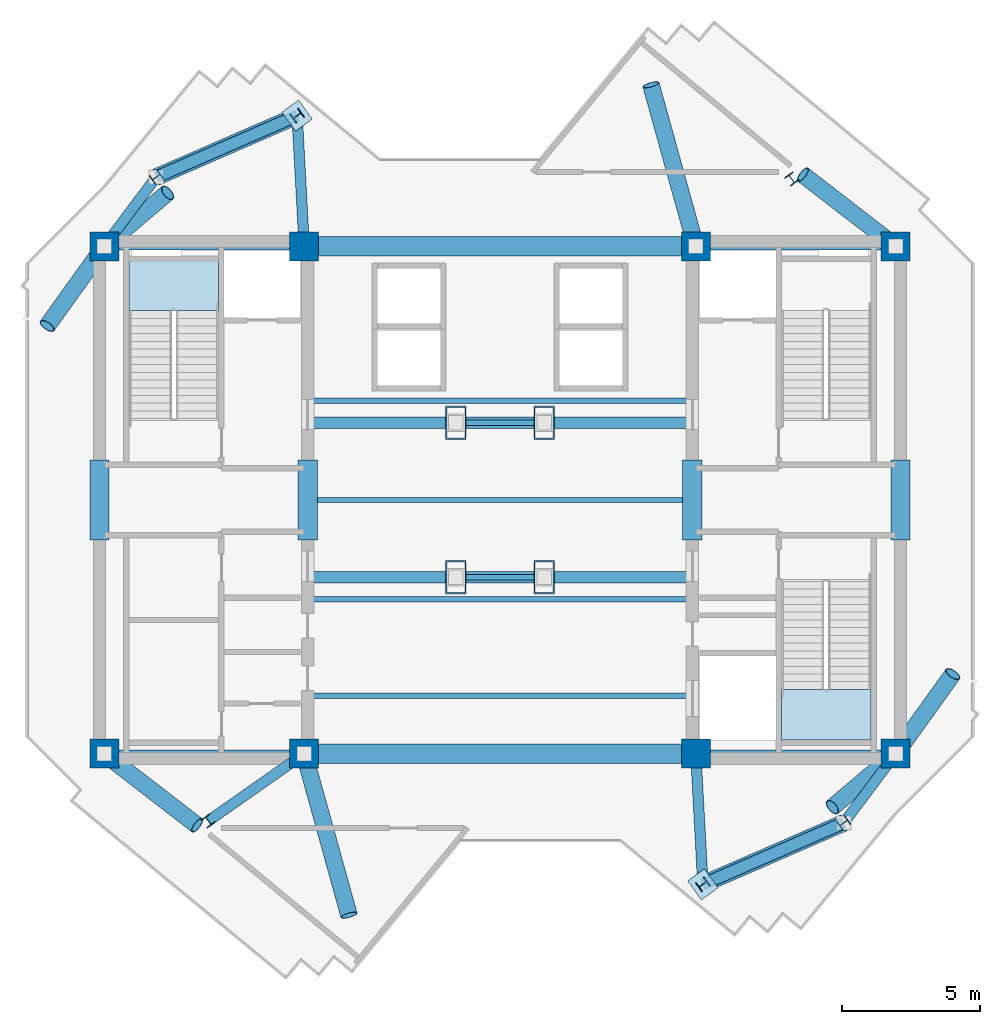
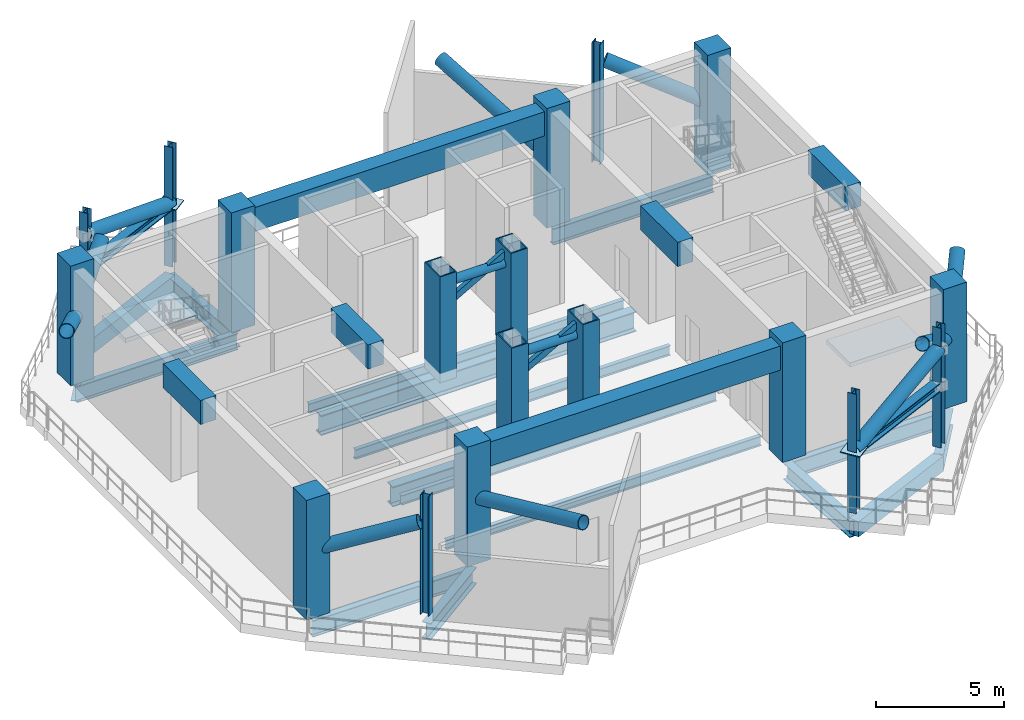
# One storey, part 1 of 7: 23 beams, 20 members, 14 columns, 2 plates, 2 slabs, 2 elements without a shape of their own.
"""IFC4 building model written with IfcOpenShell, lengths in metres."""

import ifcopenshell
import ifcopenshell.guid

model = None  # the IFC model being written
_history = None  # IfcOwnerHistory: only IFC2X3 demands one
_inside = {}  # id of a spatial element -> (the spatial element, [elements in it])
_under = {}  # id of a project, library or spatial element -> (it, [spatial elements below it])
_declared = {}  # id of a project -> (the project, [libraries it declares])
_typed = {}  # id of a type object -> (the type object, [elements of that type])
_made_of = {}  # id of a material, layer set ... -> (it, [elements and type objects made of it])


def new_model(schema):
    """Start an empty IFC model of exactly this schema.

    Asked for "IFC4X3", IfcOpenShell would pick the latest addendum, in which some entities
    have other attributes; the version numbers below select the first issue.
    IFC2X3 requires an IfcOwnerHistory on every rooted entity: one is made here for all.
    """
    global model, _history
    if schema == "IFC4X3":
        model = ifcopenshell.file(schema_version=(4, 3, 0, 0))
    else:
        model = ifcopenshell.file(schema=schema)
    _inside.clear()
    _under.clear()
    _declared.clear()
    _typed.clear()
    _made_of.clear()
    _history = None
    if model.schema == "IFC2X3":
        org = make("IfcOrganization", Name="unknown")
        user = make(
            "IfcPersonAndOrganization",
            ThePerson=make("IfcPerson", FamilyName="unknown"),
            TheOrganization=org,
        )
        app = make(
            "IfcApplication",
            ApplicationDeveloper=org,
            Version="unknown",
            ApplicationFullName="unknown",
            ApplicationIdentifier="unknown",
        )
        _history = make(
            "IfcOwnerHistory",
            OwningUser=user,
            OwningApplication=app,
            ChangeAction="ADDED",
            CreationDate=0,
        )
    return model


def make(cls, **values):
    """One entity of the class cls with the attributes given. An attribute that is None is left unset."""
    return model.create_entity(
        cls, **{name: value for name, value in values.items() if value is not None}
    )


def rooted(cls, **values):
    """An entity with a GlobalId (a new one), such as an element, a storey or a relation."""
    return make(cls, GlobalId=ifcopenshell.guid.new(), OwnerHistory=_history, **values)


def si_unit(unit_type, name, prefix=None):
    """IfcSIUnit, for example si_unit("LENGTHUNIT", "METRE", prefix="MILLI")."""
    return make("IfcSIUnit", UnitType=unit_type, Prefix=prefix, Name=name)


def assignment(units):
    """IfcUnitAssignment: the units of a project."""
    return None if units is None else make("IfcUnitAssignment", Units=units)


def point(xyz):
    """IfcCartesianPoint."""
    return None if xyz is None else make("IfcCartesianPoint", Coordinates=xyz)


def direction(xyz):
    """IfcDirection."""
    return None if xyz is None else make("IfcDirection", DirectionRatios=xyz)


def frame(location, z_axis=None, x_axis=None):
    """IfcAxis2Placement3D, a coordinate frame: its origin and axes. An axis left out is left unset."""
    return make(
        "IfcAxis2Placement3D",
        Location=point(location),
        Axis=direction(z_axis),
        RefDirection=direction(x_axis),
    )


def frame_2d(location, x_axis=None):
    """IfcAxis2Placement2D, a coordinate frame in the plane: its origin and x axis."""
    return make(
        "IfcAxis2Placement2D", Location=point(location), RefDirection=direction(x_axis)
    )


def origin():
    """The frame at (0, 0, 0) with its axes left unset."""
    return frame((0.0, 0.0, 0.0))


def origin_2d():
    """The frame at (0, 0) in the plane with its x axis left unset."""
    return frame_2d((0.0, 0.0))


def place(relative_to, where):
    """IfcLocalPlacement: puts the frame where relative to a parent placement (None: the world)."""
    return make(
        "IfcLocalPlacement", PlacementRelTo=relative_to, RelativePlacement=where
    )


def context(
    kind, dimensions, precision=None, world=None, true_north=None, identifier=None
):
    """IfcGeometricRepresentationContext, for example the 3D "Model" context."""
    return make(
        "IfcGeometricRepresentationContext",
        ContextIdentifier=identifier,
        ContextType=kind,
        CoordinateSpaceDimension=dimensions,
        Precision=precision,
        WorldCoordinateSystem=world,
        TrueNorth=true_north,
    )


def subcontext(parent, identifier, kind, view, scale=None):
    """IfcGeometricRepresentationSubContext, for example "Body" below "Model"."""
    return make(
        "IfcGeometricRepresentationSubContext",
        ContextIdentifier=identifier,
        ContextType=kind,
        ParentContext=parent,
        TargetScale=scale,
        TargetView=view,
    )


def project(units=None, contexts=None):
    """IfcProject with its units and contexts."""
    return rooted(
        "IfcProject",
        Name="project",
        RepresentationContexts=contexts,
        UnitsInContext=assignment(units),
    )


def spatial(cls, under=None, at=None, **own):
    """A site, building, storey or space (cls), placed at a placement, below another one or the project."""
    s = rooted(cls, ObjectPlacement=at, **own)
    if under is not None:
        _under.setdefault(under.id(), (under, []))[1].append(s)
    return s


def polyline(points):
    """IfcPolyline through the points."""
    return make("IfcPolyline", Points=[point(p) for p in points])


def profile(cls, at=None, kind="AREA", **sizes):
    """A parametric profile (cls). Its sizes go by their IFC names, for example OverallWidth=200.0."""
    return make(cls, ProfileType=kind, Position=at, **sizes)


def rectangle(**sizes):
    """IfcRectangleProfileDef."""
    return profile("IfcRectangleProfileDef", **sizes)


def hollow_rectangle(**sizes):
    """IfcRectangleHollowProfileDef."""
    return profile("IfcRectangleHollowProfileDef", **sizes)


def hollow_circle(**sizes):
    """IfcCircleHollowProfileDef."""
    return profile("IfcCircleHollowProfileDef", **sizes)


def i_section(**sizes):
    """IfcIShapeProfileDef."""
    return profile("IfcIShapeProfileDef", **sizes)


def outline(outer, holes=None, kind="AREA"):
    """IfcArbitraryClosedProfileDef: a profile drawn as a closed curve; with holes, ...WithVoids."""
    if holes is None:
        return make("IfcArbitraryClosedProfileDef", ProfileType=kind, OuterCurve=outer)
    return make(
        "IfcArbitraryProfileDefWithVoids",
        ProfileType=kind,
        OuterCurve=outer,
        InnerCurves=holes,
    )


def extrude(swept, where, along, depth):
    """IfcExtrudedAreaSolid: the profile swept, set in the frame where, extruded along a direction by depth."""
    return make(
        "IfcExtrudedAreaSolid",
        SweptArea=swept,
        Position=where,
        ExtrudedDirection=direction(along),
        Depth=depth,
    )


def shape(context_of_items, identifier, shape_type, items):
    """IfcShapeRepresentation: the items that make up one representation, for example the "Body"."""
    return make(
        "IfcShapeRepresentation",
        ContextOfItems=context_of_items,
        RepresentationIdentifier=identifier,
        RepresentationType=shape_type,
        Items=items,
    )


def source(mapping_origin, context_of_items, identifier, shape_type, items):
    """IfcRepresentationMap: a shape defined once, which mapped items show again and again."""
    return make(
        "IfcRepresentationMap",
        MappingOrigin=mapping_origin,
        MappedRepresentation=shape(context_of_items, identifier, shape_type, items),
    )


def transform(
    local_origin,
    x_axis=None,
    y_axis=None,
    z_axis=None,
    scale=None,
    scale2=None,
    scale3=None,
    uniform=True,
):
    """IfcCartesianTransformationOperator3D, or its non-uniform kind. x_axis, y_axis, z_axis: its Axis1, 2, 3."""
    if uniform:
        return make(
            "IfcCartesianTransformationOperator3D",
            Axis1=direction(x_axis),
            Axis2=direction(y_axis),
            LocalOrigin=point(local_origin),
            Scale=scale,
            Axis3=direction(z_axis),
        )
    return make(
        "IfcCartesianTransformationOperator3DnonUniform",
        Axis1=direction(x_axis),
        Axis2=direction(y_axis),
        LocalOrigin=point(local_origin),
        Scale=scale,
        Axis3=direction(z_axis),
        Scale2=scale2,
        Scale3=scale3,
    )


def mapped(mapping_source, mapping_target):
    """IfcMappedItem: shows the shape of a source again, moved by a transform."""
    return make(
        "IfcMappedItem", MappingSource=mapping_source, MappingTarget=mapping_target
    )


def material(Name=None, Category=None):
    """IfcMaterial."""
    return make("IfcMaterial", Name=Name, Category=Category)


def layer(
    of_material, thickness, ventilated=None, Name=None, Category=None, Priority=None
):
    """IfcMaterialLayer: one layer of a wall or slab, of a material (None: an air gap)."""
    return make(
        "IfcMaterialLayer",
        Material=of_material,
        LayerThickness=thickness,
        IsVentilated=ventilated,
        Name=Name,
        Category=Category,
        Priority=Priority,
    )


def layer_set(layers, Name=None):
    """IfcMaterialLayerSet."""
    return make("IfcMaterialLayerSet", MaterialLayers=layers, LayerSetName=Name)


def material_profile(
    of_material, cross_section, Name=None, Category=None, Priority=None
):
    """IfcMaterialProfile: a cross section and its material."""
    return make(
        "IfcMaterialProfile",
        Name=Name,
        Material=of_material,
        Profile=cross_section,
        Priority=Priority,
        Category=Category,
    )


def profile_set(profiles, Name=None, composite=None):
    """IfcMaterialProfileSet."""
    return make(
        "IfcMaterialProfileSet",
        Name=Name,
        MaterialProfiles=profiles,
        CompositeProfile=composite,
    )


def made_of(thing, what):
    """Note that an element or type object is made of a material, layer set ...; save() writes the relation."""
    if what is not None:
        _made_of.setdefault(what.id(), (what, []))[1].append(thing)
    return thing


def type_object(cls, material=None, **own):
    """A type object (cls), such as IfcWallType, which elements share."""
    return made_of(rooted(cls, **own), material)


def element(
    cls,
    number,
    at=None,
    inside=None,
    cuts=None,
    type_object=None,
    material=None,
    context=None,
    identifier="Body",
    shape_type=None,
    held_by="IfcProductDefinitionShape",
    body=None,
    shapes=None,
    **own,
):
    """One element of the class cls, such as IfcWall. Its Tag is "e" and its number.

    at: its placement. inside: the storey or other place that contains it. cuts: it is an
    opening in that element (IfcRelVoidsElement). A single representation is given by context,
    identifier, shape_type and body (its items); several are given by shapes. held_by: the class
    of the entity that holds the representations. save() writes the other relations.
    """
    e = rooted(cls, Tag="e%d" % number, ObjectPlacement=at, **own)
    if body is not None:
        shapes = [shape(context, identifier, shape_type, body)]
    if shapes is not None:
        e.Representation = make(held_by, Representations=shapes)
    if inside is not None:
        _inside.setdefault(inside.id(), (inside, []))[1].append(e)
    if cuts is not None:
        rooted(
            "IfcRelVoidsElement", RelatingBuildingElement=cuts, RelatedOpeningElement=e
        )
    if type_object is not None:
        _typed.setdefault(type_object.id(), (type_object, []))[1].append(e)
    return made_of(e, material)


def aggregate(whole, parts):
    """IfcRelAggregates: a whole, such as a stair, and the parts it consists of."""
    return rooted("IfcRelAggregates", RelatingObject=whole, RelatedObjects=parts)


def save(model, path):
    """Write the relations noted so far, then the file.

    IfcRelAggregates (storeys below a building ...), IfcRelContainedInSpatialStructure (elements
    in a storey), IfcRelDefinesByType, IfcRelAssociatesMaterial and IfcRelDeclares: one each for
    every whole, place, type object, material and project.
    """
    for whole, parts in _under.values():
        aggregate(whole, parts)
    for where, things in _inside.values():
        rooted(
            "IfcRelContainedInSpatialStructure",
            RelatedElements=things,
            RelatingStructure=where,
        )
    for kind, things in _typed.values():
        rooted("IfcRelDefinesByType", RelatedObjects=things, RelatingType=kind)
    for what, things in _made_of.values():
        rooted("IfcRelAssociatesMaterial", RelatedObjects=things, RelatingMaterial=what)
    for by, libraries in _declared.values():
        rooted("IfcRelDeclares", RelatingContext=by, RelatedDefinitions=libraries)
    model.write(path)


model = new_model("IFC4")

# Units and contexts
model_context = context("Model", 3, precision=1e-05, world=origin(), true_north=direction((0.0, 1.0)))
body_context = subcontext(model_context, "Body", "Model", "MODEL_VIEW")
ifc_project = project(units=[si_unit("LENGTHUNIT", "METRE"), si_unit("AREAUNIT", "SQUARE_METRE"), si_unit("VOLUMEUNIT", "CUBIC_METRE"), si_unit("PLANEANGLEUNIT", "RADIAN"), si_unit("MASSUNIT", "GRAM", prefix="KILO")], contexts=[model_context])

# Site, building, storey
site_placement = place(None, origin())
site = spatial("IfcSite", under=ifc_project, at=site_placement, CompositionType="ELEMENT")
building_placement = place(site_placement, origin())
building = spatial("IfcBuilding", under=site, at=building_placement, Name="Zahravan Cultural Tower", CompositionType="ELEMENT")
storey_placement = place(building_placement, frame((0.0, 0.0, 314.10009765625)))
storey = spatial("IfcBuildingStorey", under=building, at=storey_placement, Name="L76", CompositionType="ELEMENT", Elevation=314.10009765625)

# Columns
ifc_material_1 = material(Name="Concrete C50/60", Category="concrete")
ifc_material_profile_1 = material_profile(ifc_material_1, rectangle(XDim=1.050048828125, YDim=1.050048828125, at=origin_2d()), Name="RC1050X1050")
ifc_profile_set_1 = profile_set([ifc_material_profile_1], Name="Concrete C50/60")
column_type_1 = type_object("IfcColumnType", Name="COL-RC1050", PredefinedType="COLUMN", material=ifc_profile_set_1)
shared_shape_1 = source(origin(), body_context, "Body", "SweptSolid", [
    extrude(rectangle(XDim=1.050048828125, YDim=1.050048828125, at=origin_2d()), origin(), (0.0, 0.0, 1.0), 5.699951171875),
])
for number, where, z_axis, x_axis, name in (
    (1, (21.64990234375, 17.800048828125, 0.0), (0.0, 0.0, 1.0), (1.0, 0.0, 0.0), "L76 Column CC-W1"),
    (2, (28.89990234375, 17.800048828125, 0.0), (0.0, 0.0, 1.0), (1.0, 0.0, 0.0), "L76 Column CC-W2"),
    (3, (21.64990234375, 36.199951171875, 0.0), (0.0, 0.0, 1.0), (1.0, 0.0, 0.0), "L76 Column CC-W3"),
    (4, (28.89990234375, 36.199951171875, 0.0), (0.0, 0.0, 1.0), (1.0, 0.0, 0.0), "L76 Column CC-W4"),
    (5, (43.10009765625, 17.800048828125, 0.0), (0.0, 0.0, 1.0), (1.0, 0.0, 0.0), "L76 Column CC-E1"),
    (6, (50.35009765625, 17.800048828125, 0.0), (0.0, 0.0, 1.0), (1.0, 0.0, 0.0), "L76 Column CC-E2"),
    (7, (43.10009765625, 36.199951171875, 0.0), (0.0, 0.0, 1.0), (1.0, 0.0, 0.0), "L76 Column CC-E3"),
    (8, (50.35009765625, 36.199951171875, 0.0), (0.0, 0.0, 1.0), (1.0, 0.0, 0.0), "L76 Column CC-E4"),
):
    element("IfcColumn", number, at=place(storey_placement, frame(where, z_axis=z_axis, x_axis=x_axis)), inside=storey, type_object=column_type_1, Name=name, PredefinedType="COLUMN", context=body_context, shape_type="MappedRepresentation", body=[
        mapped(shared_shape_1, transform((0.0, 0.0, 0.0), x_axis=(1.0, 0.0, 0.0), y_axis=(0.0, 1.0, 0.0), z_axis=(0.0, 0.0, 1.0), scale=1.0)),
    ])
ifc_material_2 = material(Name="Steel ASTM A992 Grade 50", Category="steel")
ifc_material_profile_2 = material_profile(ifc_material_2, i_section(OverallWidth=0.3740234375, OverallDepth=0.3720703125, WebThickness=0.016357421875, FlangeThickness=0.026123046875, FilletRadius=0.01806640625, at=origin_2d()), Name="W14X132")
ifc_profile_set_2 = profile_set([ifc_material_profile_2], Name="Steel ASTM A992 Grade 50")
column_type_2 = type_object("IfcColumnType", Name="COL-W14X132", PredefinedType="COLUMN", material=ifc_profile_set_2)
shared_shape_2 = source(origin(), body_context, "Body", "SweptSolid", [
    extrude(i_section(OverallWidth=0.3740234375, OverallDepth=0.3720703125, WebThickness=0.016357421875, FlangeThickness=0.026123046875, FilletRadius=0.01806640625, at=origin_2d()), origin(), (0.0, 0.0, 1.0), 5.699951171875),
])
for number, where, z_axis, x_axis, name in (
    (9, (46.577880859375, 38.640625, 0.0), (0.0, 0.0, 1.0), (0.809016994375, 0.587785252292, 0.0), "L76 Column Z3C-E2"),
    (10, (28.642578125, 40.937255859375, 0.0), (0.0, 0.0, 1.0), (-0.587785252292, 0.809016994375, 0.0), "L76 Column Z3C-N1"),
    (11, (23.536376953125, 38.710693359375, 0.0), (0.0, 0.0, 1.0), (-0.587785252292, 0.809016994375, 0.0), "L76 Column Z3C-N2"),
    (12, (25.422119140625, 15.359375, 0.0), (0.0, 0.0, 1.0), (0.809016994375, 0.587785252292, 0.0), "L76 Column Z3C-W2"),
    (13, (43.357421875, 13.062744140625, 0.0), (0.0, 0.0, 1.0), (-0.587785252292, 0.809016994375, 0.0), "L76 Column Z3C-S1"),
    (14, (48.463623046875, 15.289306640625, 0.0), (0.0, 0.0, 1.0), (-0.587785252292, 0.809016994375, 0.0), "L76 Column Z3C-S2"),
):
    element("IfcColumn", number, at=place(storey_placement, frame(where, z_axis=z_axis, x_axis=x_axis)), inside=storey, type_object=column_type_2, Name=name, PredefinedType="COLUMN", context=body_context, shape_type="MappedRepresentation", body=[
        mapped(shared_shape_2, transform((0.0, 0.0, 0.0), x_axis=(1.0, 0.0, 0.0), y_axis=(0.0, 1.0, 0.0), z_axis=(0.0, 0.0, 1.0), scale=1.0)),
    ])

# Beams
ifc_material_profile_3 = material_profile(ifc_material_1, rectangle(XDim=0.699951171875, YDim=1.14990234375, at=origin_2d()), Name="RC700X1150")
ifc_profile_set_3 = profile_set([ifc_material_profile_3], Name="Concrete C50/60")
beam_type_1 = type_object("IfcBeamType", Name="BM-LN-RC700X1150", PredefinedType="LINTEL", material=ifc_profile_set_3)
shared_shape_3 = source(origin(), body_context, "Body", "SweptSolid", [
    extrude(rectangle(XDim=0.699951171875, YDim=1.14990234375, at=origin_2d()), origin(), (0.0, 0.0, 1.0), 14.2001953125),
])
for number, where, z_axis, x_axis, name in (
    (15, (28.89990234375, 17.800048828125, 4.875), (1.0, 0.0, 0.0), (0.0, 1.0, 0.0), "L76 Beam LN-L76-S"),
    (16, (28.89990234375, 36.199951171875, 4.875), (1.0, 0.0, 0.0), (0.0, 1.0, 0.0), "L76 Beam LN-L76-N"),
):
    element("IfcBeam", number, at=place(storey_placement, frame(where, z_axis=z_axis, x_axis=x_axis)), inside=storey, type_object=beam_type_1, Name=name, PredefinedType="LINTEL", context=body_context, shape_type="MappedRepresentation", body=[
        mapped(shared_shape_3, transform((0.0, 0.0, 0.0), x_axis=(1.0, 0.0, 0.0), y_axis=(0.0, 1.0, 0.0), z_axis=(0.0, 0.0, 1.0), scale=1.0)),
    ])
shared_shape_4 = source(origin(), body_context, "Body", "SweptSolid", [
    extrude(rectangle(XDim=0.699951171875, YDim=1.14990234375, at=origin_2d()), origin(), (0.0, 0.0, 1.0), 2.89990234375),
])
for number, where, z_axis, x_axis, name in (
    (17, (21.47509765625, 25.550048828125, 4.875), (0.0, 1.0, 0.0), (-1.0, 0.0, 0.0), "L76 Beam LN-L76-PWW"),
    (18, (29.02490234375, 25.550048828125, 4.875), (0.0, 1.0, 0.0), (-1.0, 0.0, 0.0), "L76 Beam LN-L76-PWE"),
    (19, (42.97509765625, 25.550048828125, 4.875), (0.0, 1.0, 0.0), (-1.0, 0.0, 0.0), "L76 Beam LN-L76-PEW"),
    (20, (50.52490234375, 25.550048828125, 4.875), (0.0, 1.0, 0.0), (-1.0, 0.0, 0.0), "L76 Beam LN-L76-PEE"),
):
    element("IfcBeam", number, at=place(storey_placement, frame(where, z_axis=z_axis, x_axis=x_axis)), inside=storey, type_object=beam_type_1, Name=name, PredefinedType="LINTEL", context=body_context, shape_type="MappedRepresentation", body=[
        mapped(shared_shape_4, transform((0.0, 0.0, 0.0), x_axis=(1.0, 0.0, 0.0), y_axis=(0.0, 1.0, 0.0), z_axis=(0.0, 0.0, 1.0), scale=1.0)),
    ])
ifc_material_profile_4 = material_profile(ifc_material_2, i_section(OverallWidth=0.26611328125, OverallDepth=0.780029296875, WebThickness=0.0166015625, FlangeThickness=0.030029296875, FilletRadius=0.01904296875, at=origin_2d()), Name="W30X148")
ifc_profile_set_4 = profile_set([ifc_material_profile_4], Name="Steel ASTM A992 Grade 50")
beam_type_2 = type_object("IfcBeamType", Name="BM-G-W30X148", PredefinedType="BEAM", material=ifc_profile_set_4)
shared_shape_5 = source(origin(), body_context, "Body", "SweptSolid", [
    extrude(i_section(OverallWidth=0.26611328125, OverallDepth=0.780029296875, WebThickness=0.0166015625, FlangeThickness=0.030029296875, FilletRadius=0.01904296875, at=origin_2d()), origin(), (0.0, 0.0, 1.0), 7.25),
])
for number, where, z_axis, x_axis, name in (
    (21, (21.64990234375, 17.800048828125, -0.840087890625), (1.0, 0.0, 0.0), (0.0, 1.0, 0.0), "L76 Beam BG-L76-01"),
    (22, (21.64990234375, 36.199951171875, -0.840087890625), (1.0, 0.0, 0.0), (0.0, 1.0, 0.0), "L76 Beam BG-L76-02"),
    (23, (43.10009765625, 17.800048828125, -0.840087890625), (1.0, 0.0, 0.0), (0.0, 1.0, 0.0), "L76 Beam BG-L76-04"),
    (24, (43.10009765625, 36.199951171875, -0.840087890625), (1.0, 0.0, 0.0), (0.0, 1.0, 0.0), "L76 Beam BG-L76-05"),
):
    element("IfcBeam", number, at=place(storey_placement, frame(where, z_axis=z_axis, x_axis=x_axis)), inside=storey, type_object=beam_type_2, Name=name, PredefinedType="BEAM", context=body_context, shape_type="MappedRepresentation", body=[
        mapped(shared_shape_5, transform((0.0, 0.0, 0.0), x_axis=(1.0, 0.0, 0.0), y_axis=(0.0, 1.0, 0.0), z_axis=(0.0, 0.0, 1.0), scale=1.0)),
    ])
ifc_material_3 = material(Name="Concrete C45/55", Category="concrete")
ifc_material_profile_5 = material_profile(ifc_material_3, rectangle(XDim=0.449951171875, YDim=0.719970703125, at=origin_2d()), Name="RC450X720")
ifc_profile_set_5 = profile_set([ifc_material_profile_5], Name="Concrete C45/55")
beam_type_3 = type_object("IfcBeamType", Name="BM-SP-RC450X720", PredefinedType="SPANDREL", material=ifc_profile_set_5)
shared_shape_6 = source(origin(), body_context, "Body", "SweptSolid", [
    extrude(rectangle(XDim=0.449951171875, YDim=0.719970703125, at=origin_2d()), origin(), (0.0, 0.0, 1.0), 5.570556640625),
])
for number, where, z_axis, x_axis, name in (
    (25, (43.357421875, 13.062744140625, -0.81005859375), (0.9166445026, 0.399703459896, 0.0), (-0.399703459896, 0.9166445026, 0.0), "L76 Beam SP-L76-12"),
    (26, (28.642578125, 40.937255859375, -0.81005859375), (-0.9166445026, -0.399703459896, 0.0), (0.399703459896, -0.9166445026, 0.0), "L76 Beam SP-L76-13"),
):
    element("IfcBeam", number, at=place(storey_placement, frame(where, z_axis=z_axis, x_axis=x_axis)), inside=storey, type_object=beam_type_3, Name=name, PredefinedType="SPANDREL", context=body_context, shape_type="MappedRepresentation", body=[
        mapped(shared_shape_6, transform((0.0, 0.0, 0.0), x_axis=(1.0, 0.0, 0.0), y_axis=(0.0, 1.0, 0.0), z_axis=(0.0, 0.0, 1.0), scale=1.0)),
    ])
ifc_material_profile_6 = material_profile(ifc_material_2, i_section(OverallWidth=0.18994140625, OverallDepth=0.45703125, WebThickness=0.009033203125, FlangeThickness=0.014404296875, FilletRadius=0.012939453125, at=origin_2d()), Name="W18X50")
ifc_profile_set_6 = profile_set([ifc_material_profile_6], Name="Steel ASTM A992 Grade 50")
beam_type_4 = type_object("IfcBeamType", Name="BM-J-W18X50", PredefinedType="JOIST", material=ifc_profile_set_6)
shared_shape_7 = source(origin(), body_context, "Body", "SweptSolid", [
    extrude(i_section(OverallWidth=0.18994140625, OverallDepth=0.45703125, WebThickness=0.009033203125, FlangeThickness=0.014404296875, FilletRadius=0.012939453125, at=origin_2d()), origin(), (0.0, 0.0, 1.0), 14.2001953125),
])
for number, where, z_axis, x_axis, name in (
    (27, (28.89990234375, 19.89990234375, -0.6787109375), (1.0, 0.0, 0.0), (0.0, 1.0, 0.0), "L76 Beam BJ-L76-14"),
    (28, (28.89990234375, 23.39990234375, -0.6787109375), (1.0, 0.0, 0.0), (0.0, 1.0, 0.0), "L76 Beam BJ-L76-15"),
    (29, (28.89990234375, 27.0, -0.6787109375), (1.0, 0.0, 0.0), (0.0, 1.0, 0.0), "L76 Beam BJ-L76-16"),
    (30, (28.89990234375, 30.60009765625, -0.6787109375), (1.0, 0.0, 0.0), (0.0, 1.0, 0.0), "L76 Beam BJ-L76-17"),
):
    element("IfcBeam", number, at=place(storey_placement, frame(where, z_axis=z_axis, x_axis=x_axis)), inside=storey, type_object=beam_type_4, Name=name, PredefinedType="JOIST", context=body_context, shape_type="MappedRepresentation", body=[
        mapped(shared_shape_7, transform((0.0, 0.0, 0.0), x_axis=(1.0, 0.0, 0.0), y_axis=(0.0, 1.0, 0.0), z_axis=(0.0, 0.0, 1.0), scale=1.0)),
    ])
ifc_material_profile_7 = material_profile(ifc_material_2, i_section(OverallWidth=0.382080078125, OverallDepth=0.779052734375, WebThickness=0.01806640625, FlangeThickness=0.030029296875, FilletRadius=0.01904296875, at=origin_2d()), Name="W30X191")
ifc_profile_set_7 = profile_set([ifc_material_profile_7], Name="Steel ASTM A992 Grade 50")
beam_type_5 = type_object("IfcBeamType", Name="BM-G-W30X191", PredefinedType="BEAM", material=ifc_profile_set_7)
shared_shape_8 = source(origin(), body_context, "Body", "SweptSolid", [
    extrude(i_section(OverallWidth=0.382080078125, OverallDepth=0.779052734375, WebThickness=0.01806640625, FlangeThickness=0.030029296875, FilletRadius=0.01904296875, at=origin_2d()), origin(), (0.0, 0.0, 1.0), 4.248779296875),
])
beam_placement = place(storey_placement, frame((28.89990234375, 17.800048828125, -0.839599609375), z_axis=(-0.81854294596, -0.574445337365, 0.0), x_axis=(0.574445337365, -0.81854294596, 0.0)))
element("IfcBeam", 31, at=beam_placement, inside=storey, type_object=beam_type_5, Name="L76 Beam BG-L76-07", PredefinedType="BEAM", context=body_context, shape_type="MappedRepresentation", body=[
    mapped(shared_shape_8, transform((0.0, 0.0, 0.0), x_axis=(1.0, 0.0, 0.0), y_axis=(0.0, 1.0, 0.0), z_axis=(0.0, 0.0, 1.0), scale=1.0)),
])
shared_shape_9 = source(origin(), body_context, "Body", "SweptSolid", [
    extrude(i_section(OverallWidth=0.382080078125, OverallDepth=0.779052734375, WebThickness=0.01806640625, FlangeThickness=0.030029296875, FilletRadius=0.01904296875, at=origin_2d()), origin(), (0.0, 0.0, 1.0), 4.744384765625),
])
for number, where, z_axis, x_axis, name in (
    (32, (43.10009765625, 17.800048828125, -0.839599609375), (0.054238739845, -0.998527996152, 0.0), (0.998527996152, 0.054238739845, 0.0), "L76 Beam BG-L76-08"),
    (33, (28.89990234375, 36.199951171875, -0.839599609375), (-0.054238739845, 0.998527996152, 0.0), (-0.998527996152, -0.054238739845, 0.0), "L76 Beam BG-L76-10"),
):
    element("IfcBeam", number, at=place(storey_placement, frame(where, z_axis=z_axis, x_axis=x_axis)), inside=storey, type_object=beam_type_5, Name=name, PredefinedType="BEAM", context=body_context, shape_type="MappedRepresentation", body=[
        mapped(shared_shape_9, transform((0.0, 0.0, 0.0), x_axis=(1.0, 0.0, 0.0), y_axis=(0.0, 1.0, 0.0), z_axis=(0.0, 0.0, 1.0), scale=1.0)),
    ])
shared_shape_10 = source(origin(), body_context, "Body", "SweptSolid", [
    extrude(i_section(OverallWidth=0.382080078125, OverallDepth=0.779052734375, WebThickness=0.01806640625, FlangeThickness=0.030029296875, FilletRadius=0.01904296875, at=origin_2d()), origin(), (0.0, 0.0, 1.0), 3.140380859375),
])
for number, where, z_axis, x_axis, name in (
    (34, (50.35009765625, 17.800048828125, -0.839599609375), (-0.600696322208, -0.799477284534, 0.0), (0.799477284534, -0.600696322208, 0.0), "L76 Beam BG-L76-09"),
    (35, (21.64990234375, 36.199951171875, -0.839599609375), (0.600696322208, 0.799477284534, 0.0), (-0.799477284534, 0.600696322208, 0.0), "L76 Beam BG-L76-11"),
):
    element("IfcBeam", number, at=place(storey_placement, frame(where, z_axis=z_axis, x_axis=x_axis)), inside=storey, type_object=beam_type_5, Name=name, PredefinedType="BEAM", context=body_context, shape_type="MappedRepresentation", body=[
        mapped(shared_shape_10, transform((0.0, 0.0, 0.0), x_axis=(1.0, 0.0, 0.0), y_axis=(0.0, 1.0, 0.0), z_axis=(0.0, 0.0, 1.0), scale=1.0)),
    ])

# Members
ifc_material_4 = material(Name="Steel ASTM A572 Grade 50", Category="steel")
ifc_material_profile_8 = material_profile(ifc_material_4, hollow_circle(Radius=0.304931640625, WallThickness=0.02490234375, at=origin_2d()), Name="CHS610X25")
ifc_profile_set_8 = profile_set([ifc_material_profile_8], Name="Steel ASTM A572 Grade 50")
member_type_1 = type_object("IfcMemberType", Name="MB-BR-CHS610", PredefinedType="BRACE", material=ifc_profile_set_8)
shared_shape_11 = source(origin(), body_context, "Body", "SweptSolid", [
    extrude(hollow_circle(Radius=0.304931640625, WallThickness=0.02490234375, at=origin_2d()), origin(), (0.0, 0.0, 1.0), 5.82421875),
])
for number, where, z_axis, x_axis, name in (
    (36, (43.357421875, 13.062744140625, 2.89990234375), (0.876729230252, 0.382298378193, 0.291879781508), (-0.399703459896, 0.9166445026, 0.0), "L76 Belt Truss Diagonal 01"),
    (37, (28.642578125, 40.937255859375, 2.89990234375), (-0.876729230252, -0.382298378193, 0.291879781508), (0.399703459896, -0.9166445026, 0.0), "L76 Belt Truss Diagonal 02"),
):
    element("IfcMember", number, at=place(storey_placement, frame(where, z_axis=z_axis, x_axis=x_axis)), inside=storey, type_object=member_type_1, Name=name, PredefinedType="BRACE", context=body_context, shape_type="MappedRepresentation", body=[
        mapped(shared_shape_11, transform((0.0, 0.0, 0.0), x_axis=(1.0, 0.0, 0.0), y_axis=(0.0, 1.0, 0.0), z_axis=(0.0, 0.0, 1.0), scale=1.0)),
    ])
ifc_material_profile_9 = material_profile(ifc_material_2, i_section(OverallWidth=0.404052734375, OverallDepth=0.406982421875, WebThickness=0.027099609375, FlangeThickness=0.043701171875, FilletRadius=0.01806640625, at=origin_2d()), Name="W14X233")
ifc_profile_set_9 = profile_set([ifc_material_profile_9], Name="Steel ASTM A992 Grade 50")
member_type_2 = type_object("IfcMemberType", Name="MB-CH-W14X233", PredefinedType="CHORD", material=ifc_profile_set_9)
shared_shape_12 = source(origin(), body_context, "Body", "SweptSolid", [
    extrude(i_section(OverallWidth=0.404052734375, OverallDepth=0.406982421875, WebThickness=0.027099609375, FlangeThickness=0.043701171875, FilletRadius=0.01806640625, at=origin_2d()), origin(), (0.0, 0.0, 1.0), 5.570556640625),
])
for number, where, z_axis, x_axis, name in (
    (38, (43.357421875, 13.062744140625, 2.89990234375), (0.9166445026, 0.399703459896, 0.0), (-0.399703459896, 0.9166445026, 0.0), "L76 Belt Truss Bottom Chord 01"),
    (39, (28.642578125, 40.937255859375, 2.89990234375), (-0.9166445026, -0.399703459896, 0.0), (0.399703459896, -0.9166445026, 0.0), "L76 Belt Truss Bottom Chord 02"),
):
    element("IfcMember", number, at=place(storey_placement, frame(where, z_axis=z_axis, x_axis=x_axis)), inside=storey, type_object=member_type_2, Name=name, PredefinedType="CHORD", context=body_context, shape_type="MappedRepresentation", body=[
        mapped(shared_shape_12, transform((0.0, 0.0, 0.0), x_axis=(1.0, 0.0, 0.0), y_axis=(0.0, 1.0, 0.0), z_axis=(0.0, 0.0, 1.0), scale=1.0)),
    ])
shared_shape_13 = source(origin(), body_context, "Body", "SweptSolid", [
    extrude(hollow_circle(Radius=0.304931640625, WallThickness=0.02490234375, at=origin_2d()), origin(), (0.0, 0.0, 1.0), 4.580322265625),
])
for number, where, z_axis, x_axis, name in (
    (40, (50.35009765625, 36.199951171875, 2.89990234375), (-0.734909640082, 0.567598836469, 0.371132566281), (-0.611254713313, -0.791433936253, 0.0), "L76 Outrigger Diagonal 03"),
    (41, (21.64990234375, 17.800048828125, 2.89990234375), (0.734909640082, -0.567598836469, 0.371132566281), (0.611254713313, 0.791433936253, 0.0), "L76 Outrigger Diagonal 07"),
):
    element("IfcMember", number, at=place(storey_placement, frame(where, z_axis=z_axis, x_axis=x_axis)), inside=storey, type_object=member_type_1, Name=name, PredefinedType="BRACE", context=body_context, shape_type="MappedRepresentation", body=[
        mapped(shared_shape_13, transform((0.0, 0.0, 0.0), x_axis=(1.0, 0.0, 0.0), y_axis=(0.0, 1.0, 0.0), z_axis=(0.0, 0.0, 1.0), scale=1.0)),
    ])
shared_shape_14 = source(origin(), body_context, "Body", "SweptSolid", [
    extrude(hollow_circle(Radius=0.304931640625, WallThickness=0.02490234375, at=origin_2d()), origin(), (0.0, 0.0, 1.0), 6.312744140625),
])
for number, where, z_axis, x_axis, name in (
    (42, (43.10009765625, 36.199951171875, 2.89990234375), (-0.257450112737, 0.928011552536, 0.269284232385), (-0.963606455292, -0.267324894686, 0.0), "L76 Outrigger Diagonal 04"),
    (43, (28.89990234375, 17.800048828125, 2.89990234375), (0.257450112737, -0.928011552536, 0.269284232385), (0.963606455292, 0.267324894686, 0.0), "L76 Outrigger Diagonal 08"),
):
    element("IfcMember", number, at=place(storey_placement, frame(where, z_axis=z_axis, x_axis=x_axis)), inside=storey, type_object=member_type_1, Name=name, PredefinedType="BRACE", context=body_context, shape_type="MappedRepresentation", body=[
        mapped(shared_shape_14, transform((0.0, 0.0, 0.0), x_axis=(1.0, 0.0, 0.0), y_axis=(0.0, 1.0, 0.0), z_axis=(0.0, 0.0, 1.0), scale=1.0)),
    ])
shared_shape_15 = source(origin(), body_context, "Body", "SweptSolid", [
    extrude(hollow_circle(Radius=0.304931640625, WallThickness=0.02490234375, at=origin_2d()), origin(), (0.0, 0.0, 1.0), 3.452880859375),
])
for number, where, z_axis, x_axis, name in (
    (44, (21.64990234375, 36.199951171875, 2.89990234375), (0.664591103528, 0.562063483556, 0.492344701976), (-0.645752855361, 0.763546494847, 0.0), "L76 Outrigger Diagonal 05"),
    (45, (50.35009765625, 17.800048828125, 2.89990234375), (-0.664591103528, -0.562063483556, 0.492344701976), (0.645752855361, -0.763546494847, 0.0), "L76 Outrigger Diagonal 09"),
):
    element("IfcMember", number, at=place(storey_placement, frame(where, z_axis=z_axis, x_axis=x_axis)), inside=storey, type_object=member_type_1, Name=name, PredefinedType="BRACE", context=body_context, shape_type="MappedRepresentation", body=[
        mapped(shared_shape_15, transform((0.0, 0.0, 0.0), x_axis=(1.0, 0.0, 0.0), y_axis=(0.0, 1.0, 0.0), z_axis=(0.0, 0.0, 1.0), scale=1.0)),
    ])
shared_shape_16 = source(origin(), body_context, "Body", "SweptSolid", [
    extrude(hollow_circle(Radius=0.304931640625, WallThickness=0.02490234375, at=origin_2d()), origin(), (0.0, 0.0, 1.0), 3.941162109375),
])
for number, where, z_axis, x_axis, name in (
    (46, (21.64990234375, 36.199951171875, 2.89990234375), (-0.525869063473, -0.733082164819, 0.431337765222), (0.812558045674, -0.58288028137, 0.0), "L76 Outrigger Diagonal 06"),
    (47, (50.35009765625, 17.800048828125, 2.89990234375), (0.525869063473, 0.733082164819, 0.431337765222), (-0.812558045674, 0.58288028137, 0.0), "L76 Outrigger Diagonal 10"),
):
    element("IfcMember", number, at=place(storey_placement, frame(where, z_axis=z_axis, x_axis=x_axis)), inside=storey, type_object=member_type_1, Name=name, PredefinedType="BRACE", context=body_context, shape_type="MappedRepresentation", body=[
        mapped(shared_shape_16, transform((0.0, 0.0, 0.0), x_axis=(1.0, 0.0, 0.0), y_axis=(0.0, 1.0, 0.0), z_axis=(0.0, 0.0, 1.0), scale=1.0)),
    ])

# Beams
ifc_material_profile_10 = material_profile(ifc_material_2, i_section(OverallWidth=0.423095703125, OverallDepth=0.947998046875, WebThickness=0.02392578125, FlangeThickness=0.042724609375, FilletRadius=0.02392578125, at=origin_2d()), Name="W36X302")
ifc_profile_set_10 = profile_set([ifc_material_profile_10], Name="Steel ASTM A992 Grade 50")
beam_type_6 = type_object("IfcBeamType", Name="BM-G-W36X302", PredefinedType="BEAM", material=ifc_profile_set_10)
shared_shape_17 = source(origin(), body_context, "Body", "SweptSolid", [
    extrude(i_section(OverallWidth=0.423095703125, OverallDepth=0.947998046875, WebThickness=0.02392578125, FlangeThickness=0.042724609375, FilletRadius=0.02392578125, at=origin_2d()), origin(), (0.0, 0.0, 1.0), 14.2001953125),
])
for number, where, z_axis, x_axis, name in (
    (48, (28.89990234375, 24.199951171875, -0.924072265625), (1.0, 0.0, 0.0), (0.0, 1.0, 0.0), "L76 Beam WT-SUP-1"),
    (49, (28.89990234375, 29.800048828125, -0.924072265625), (1.0, 0.0, 0.0), (0.0, 1.0, 0.0), "L76 Beam WT-SUP-2"),
):
    element("IfcBeam", number, at=place(storey_placement, frame(where, z_axis=z_axis, x_axis=x_axis)), inside=storey, type_object=beam_type_6, Name=name, PredefinedType="BEAM", context=body_context, shape_type="MappedRepresentation", body=[
        mapped(shared_shape_17, transform((0.0, 0.0, 0.0), x_axis=(1.0, 0.0, 0.0), y_axis=(0.0, 1.0, 0.0), z_axis=(0.0, 0.0, 1.0), scale=1.0)),
    ])

# Members
ifc_material_profile_11 = material_profile(ifc_material_4, hollow_rectangle(XDim=0.75, YDim=1.199951171875, WallThickness=0.050048828125, at=origin_2d()), Name="BOX1200X750X50")
ifc_profile_set_11 = profile_set([ifc_material_profile_11], Name="Steel ASTM A572 Grade 50")
member_type_3 = type_object("IfcMemberType", Name="MB-CH-BOX1200", PredefinedType="CHORD", material=ifc_profile_set_11)
shared_shape_18 = source(origin(), body_context, "Body", "SweptSolid", [
    extrude(hollow_rectangle(XDim=0.75, YDim=1.199951171875, WallThickness=0.050048828125, at=origin_2d()), origin(), (0.0, 0.0, 1.0), 5.050048828125),
])
for number, where, z_axis, x_axis, name in (
    (50, (34.39990234375, 24.199951171875, -0.4501953125), (0.0, 0.0, 1.0), (1.0, 0.0, 0.0), "L76 Wind Turbine Support Post 1W"),
    (51, (37.60009765625, 24.199951171875, -0.4501953125), (0.0, 0.0, 1.0), (1.0, 0.0, 0.0), "L76 Wind Turbine Support Post 1E"),
    (52, (34.39990234375, 29.800048828125, -0.4501953125), (0.0, 0.0, 1.0), (1.0, 0.0, 0.0), "L76 Wind Turbine Support Post 2W"),
    (53, (37.60009765625, 29.800048828125, -0.4501953125), (0.0, 0.0, 1.0), (1.0, 0.0, 0.0), "L76 Wind Turbine Support Post 2E"),
):
    element("IfcMember", number, at=place(storey_placement, frame(where, z_axis=z_axis, x_axis=x_axis)), inside=storey, type_object=member_type_3, Name=name, PredefinedType="CHORD", context=body_context, shape_type="MappedRepresentation", body=[
        mapped(shared_shape_18, transform((0.0, 0.0, 0.0), x_axis=(1.0, 0.0, 0.0), y_axis=(0.0, 1.0, 0.0), z_axis=(0.0, 0.0, 1.0), scale=1.0)),
    ])
ifc_material_profile_12 = material_profile(ifc_material_4, hollow_circle(Radius=0.202880859375, WallThickness=0.01611328125, at=origin_2d()), Name="CHS406X16")
ifc_profile_set_12 = profile_set([ifc_material_profile_12], Name="Steel ASTM A572 Grade 50")
member_type_4 = type_object("IfcMemberType", Name="MB-BR-CHS406", PredefinedType="BRACE", material=ifc_profile_set_12)
shared_shape_19 = source(origin(), body_context, "Body", "SweptSolid", [
    extrude(hollow_circle(Radius=0.202880859375, WallThickness=0.01611328125, at=origin_2d()), origin(), (0.0, 0.0, 1.0), 3.2001953125),
])
for number, where, z_axis, x_axis, name in (
    (54, (34.39990234375, 24.199951171875, 3.7998046875), (1.0, 0.0, 0.0), (0.0, 1.0, 0.0), "L76 Horizontal Wind Turbine Rotor Assembly 1"),
    (55, (34.39990234375, 29.800048828125, 3.7998046875), (1.0, 0.0, 0.0), (0.0, 1.0, 0.0), "L76 Horizontal Wind Turbine Rotor Assembly 2"),
):
    element("IfcMember", number, at=place(storey_placement, frame(where, z_axis=z_axis, x_axis=x_axis)), inside=storey, type_object=member_type_4, Name=name, PredefinedType="BRACE", context=body_context, shape_type="MappedRepresentation", body=[
        mapped(shared_shape_19, transform((0.0, 0.0, 0.0), x_axis=(1.0, 0.0, 0.0), y_axis=(0.0, 1.0, 0.0), z_axis=(0.0, 0.0, 1.0), scale=1.0)),
    ])
ifc_material_profile_13 = material_profile(ifc_material_4, hollow_rectangle(XDim=0.199951171875, YDim=0.300048828125, WallThickness=0.01611328125, at=origin_2d()), Name="HSS300X200X16")
ifc_profile_set_13 = profile_set([ifc_material_profile_13], Name="Steel ASTM A572 Grade 50")
member_type_5 = type_object("IfcMemberType", Name="MB-BR-HSS300X200", PredefinedType="BRACE", material=ifc_profile_set_13)
shared_shape_20 = source(origin(), body_context, "Body", "SweptSolid", [
    extrude(hollow_rectangle(XDim=0.199951171875, YDim=0.300048828125, WallThickness=0.01611328125, at=origin_2d()), origin(), (0.0, 0.0, 1.0), 3.671630859375),
])
for number, where, z_axis, x_axis, name in (
    (56, (34.39990234375, 24.199951171875, 2.64990234375), (0.871582640081, 0.0, 0.490248611941), (0.0, 1.0, 0.0), "L76 Wind Turbine Portal Brace 1"),
    (57, (34.39990234375, 29.800048828125, 2.64990234375), (0.871582640081, 0.0, 0.490248611941), (0.0, 1.0, 0.0), "L76 Wind Turbine Portal Brace 2"),
):
    element("IfcMember", number, at=place(storey_placement, frame(where, z_axis=z_axis, x_axis=x_axis)), inside=storey, type_object=member_type_5, Name=name, PredefinedType="BRACE", context=body_context, shape_type="MappedRepresentation", body=[
        mapped(shared_shape_20, transform((0.0, 0.0, 0.0), x_axis=(1.0, 0.0, 0.0), y_axis=(0.0, 1.0, 0.0), z_axis=(0.0, 0.0, 1.0), scale=1.0)),
    ])

# Stair, slab
stair_type = type_object("IfcStairType", Name="STR-DL-1550-570", PredefinedType="HALF_TURN_STAIR", material=ifc_material_3)
stair_1_placement = place(storey_placement, origin())
stair_1 = element("IfcStair", 58, at=stair_1_placement, inside=storey, type_object=stair_type, Name="L76 West Core North Exit Stair ST-W1", PredefinedType="HALF_TURN_STAIR")
ifc_layer_1 = layer(ifc_material_3, 0.199951171875)
ifc_layer_set_1 = layer_set([ifc_layer_1], Name="Concrete C45/55")
slab_type = type_object("IfcSlabType", Name="SL-STAIR-LND200", PredefinedType="LANDING", material=ifc_layer_set_1)
slab_1_placement = place(storey_placement, frame((0.0, 0.0, 2.64990234375)))
slab_1 = element("IfcSlab", 59, at=slab_1_placement, type_object=slab_type, Name="ST-W1 landing 1", PredefinedType="LANDING", context=body_context, shape_type="SweptSolid", body=[
    extrude(outline(polyline([(25.800048828125, 33.8701171875), (25.800048828125, 35.699951171875), (22.550048828125, 35.699951171875), (22.550048828125, 33.8701171875), (25.800048828125, 33.8701171875)])), origin(), (0.0, 0.0, 1.0), 0.199951171875),
])
aggregate(stair_1, [slab_1])

stair_2_placement = place(storey_placement, origin())
stair_2 = element("IfcStair", 60, at=stair_2_placement, inside=storey, type_object=stair_type, Name="L76 East Core South Exit Stair ST-E2", PredefinedType="HALF_TURN_STAIR")
slab_2_placement = place(storey_placement, frame((0.0, 0.0, 2.64990234375)))
slab_2 = element("IfcSlab", 61, at=slab_2_placement, type_object=slab_type, Name="ST-E2 landing 1", PredefinedType="LANDING", context=body_context, shape_type="SweptSolid", body=[
    extrude(outline(polyline([(46.199951171875, 20.1298828125), (46.199951171875, 18.300048828125), (49.449951171875, 18.300048828125), (49.449951171875, 20.1298828125), (46.199951171875, 20.1298828125)])), origin(), (0.0, 0.0, 1.0), 0.199951171875),
])
aggregate(stair_2, [slab_2])

# Plates
ifc_layer_2 = layer(ifc_material_4, 0.044921875)
ifc_layer_set_2 = layer_set([ifc_layer_2], Name="Steel ASTM A572 Grade 50")
plate_type = type_object("IfcPlateType", Name="PL-NODE-45", PredefinedType="SHEET", material=ifc_layer_set_2)
shared_shape_21 = source(origin(), body_context, "Body", "SweptSolid", [
    extrude(rectangle(XDim=0.85009765625, YDim=0.75, at=origin_2d()), origin(), (0.0, 0.0, 1.0), 0.044921875),
])
for number, where, z_axis, x_axis, name in (
    (62, (43.357421875, 13.062744140625, 2.87744140625), (0.0, 0.0, 1.0), (-0.587785252292, 0.809016994375, 0.0), "L76 Belt Node Cap Plate KN1"),
    (63, (28.642578125, 40.937255859375, 2.87744140625), (0.0, 0.0, 1.0), (-0.587785252292, 0.809016994375, 0.0), "L76 Belt Node Cap Plate KN1"),
):
    element("IfcPlate", number, at=place(storey_placement, frame(where, z_axis=z_axis, x_axis=x_axis)), inside=storey, type_object=plate_type, Name=name, PredefinedType="SHEET", context=body_context, shape_type="MappedRepresentation", body=[
        mapped(shared_shape_21, transform((0.0, 0.0, 0.0), x_axis=(1.0, 0.0, 0.0), y_axis=(0.0, 1.0, 0.0), z_axis=(0.0, 0.0, 1.0), scale=1.0)),
    ])

save(model, "model.ifc")
